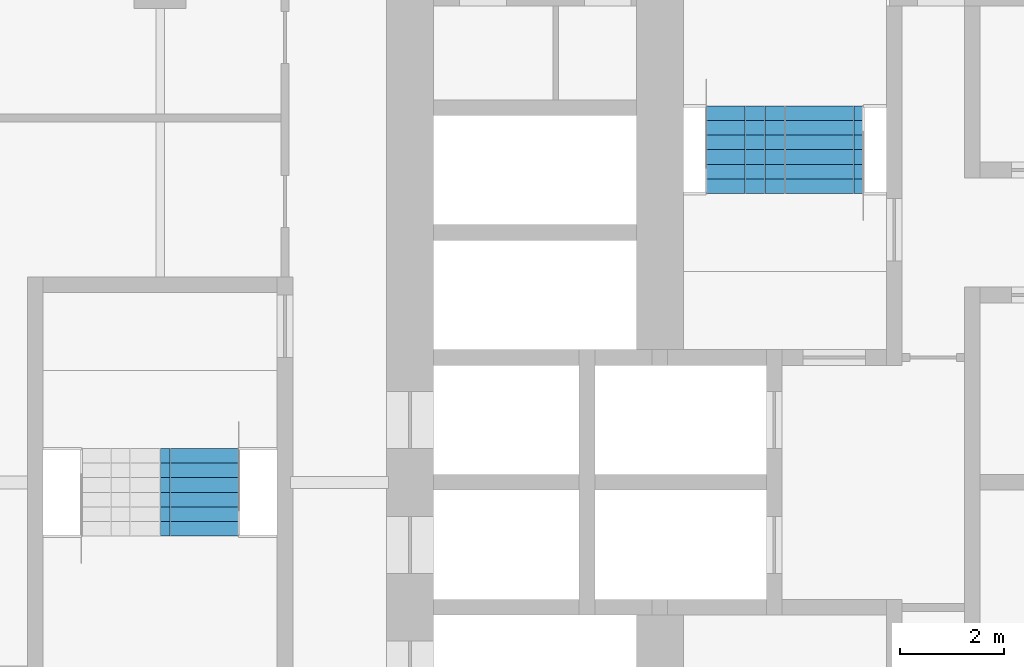
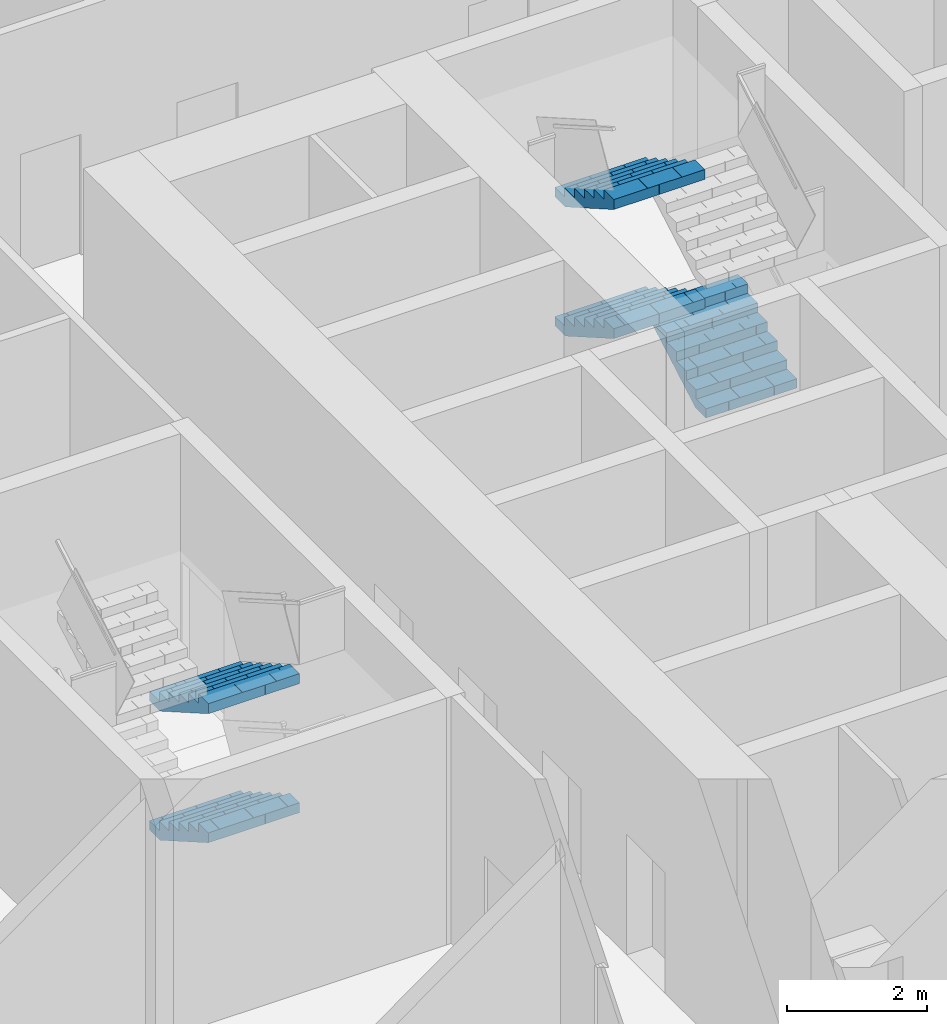
# One storey, part 22 of 26: 5 stair flights, 2 elements without a shape of their own.
"""IFC4 building model written with IfcOpenShell, lengths in metres."""

from ifc_helpers import new_model, si_unit, direction, frame, origin, place, context, subcontext, project, spatial, polyline, outline, extrude, material, type_object, element, aggregate, save


model = new_model("IFC4")

# Units and contexts
model_context = context("Model", 3, precision=1e-05, world=origin(), true_north=direction((0.0, 1.0)))
body_context = subcontext(model_context, "Body", "Model", "MODEL_VIEW")
ifc_project = project(units=[si_unit("LENGTHUNIT", "METRE"), si_unit("AREAUNIT", "SQUARE_METRE"), si_unit("VOLUMEUNIT", "CUBIC_METRE"), si_unit("PLANEANGLEUNIT", "RADIAN"), si_unit("MASSUNIT", "GRAM", prefix="KILO")], contexts=[model_context])

# Site, building, storey
site_placement = place(None, origin())
site = spatial("IfcSite", under=ifc_project, at=site_placement, CompositionType="ELEMENT")
building_placement = place(site_placement, origin())
building = spatial("IfcBuilding", under=site, at=building_placement, Name="Kolab Exchange Tower", CompositionType="ELEMENT")
storey_placement = place(building_placement, frame((0.0, 0.0, 104.89990234375)))
storey = spatial("IfcBuildingStorey", under=building, at=storey_placement, Name="L20", CompositionType="ELEMENT", Elevation=104.89990234375)

# Stair, stair flights
ifc_material = material(Name="Concrete C50/60", Category="concrete")
stair_type_1 = type_object("IfcStairType", Name="STAIR ST1 RISER 160.7", PredefinedType="DOUBLE_RETURN_STAIR", material=ifc_material)
stair_1_placement = place(storey_placement, origin())
stair_1 = element("IfcStair", 1, at=stair_1_placement, inside=storey, type_object=stair_type_1, Name="Stair 1", PredefinedType="DOUBLE_RETURN_STAIR")
stair_flight_type = type_object("IfcStairFlightType", Name="STAIR FLIGHT 1500 RISER 160.7", PredefinedType="STRAIGHT", material=ifc_material)
stair_flight_1_placement = place(storey_placement, frame((-6.43994140625, 5.550048828125, 0.0), z_axis=(0.0, 0.0, 1.0), x_axis=(0.0, 1.0, 0.0)))
stair_flight_1 = element("IfcStairFlight", 2, at=stair_flight_1_placement, type_object=stair_flight_type, Name="ST1 flight 1", NumberOfRisers=7, NumberOfTreads=6, PredefinedType="STRAIGHT", RiserHeight=0.160714286, TreadLength=0.28, context=body_context, shape_type="SweptSolid", body=[
    extrude(outline(polyline([(0.0, 0.0), (0.0, 0.16064453125), (0.280029296875, 0.16064453125), (0.280029296875, 0.321533203125), (0.56005859375, 0.321533203125), (0.56005859375, 0.482177734375), (0.840087890625, 0.482177734375), (0.840087890625, 0.642822265625), (1.1201171875, 0.642822265625), (1.1201171875, 0.803466796875), (1.39990234375, 0.803466796875), (1.39990234375, 0.96435546875), (1.679931640625, 0.96435546875), (1.679931640625, 1.125), (1.679931640625, 0.79150390625), (0.301025390625, 0.0), (0.0, 0.0)])), frame((0.0, 0.75, 0.0), z_axis=(0.0, -1.0, 0.0), x_axis=(1.0, 0.0, 0.0)), (0.0, 0.0, 1.0), 0.185791015625),
    extrude(outline(polyline([(0.0, 0.0), (0.0, 0.16064453125), (0.280029296875, 0.16064453125), (0.280029296875, 0.321533203125), (0.56005859375, 0.321533203125), (0.56005859375, 0.482177734375), (0.840087890625, 0.482177734375), (0.840087890625, 0.642822265625), (1.1201171875, 0.642822265625), (1.1201171875, 0.803466796875), (1.39990234375, 0.803466796875), (1.39990234375, 0.96435546875), (1.679931640625, 0.96435546875), (1.679931640625, 1.125), (1.679931640625, 0.79150390625), (0.301025390625, 0.0), (0.0, 0.0)])), frame((0.0, 0.562255859375, 0.0), z_axis=(0.0, -1.0, 0.0), x_axis=(1.0, 0.0, 0.0)), (0.0, 0.0, 1.0), 0.185791015625),
    extrude(outline(polyline([(0.0, 0.0), (0.0, 0.16064453125), (0.280029296875, 0.16064453125), (0.280029296875, 0.321533203125), (0.56005859375, 0.321533203125), (0.56005859375, 0.482177734375), (0.840087890625, 0.482177734375), (0.840087890625, 0.642822265625), (1.1201171875, 0.642822265625), (1.1201171875, 0.803466796875), (1.39990234375, 0.803466796875), (1.39990234375, 0.96435546875), (1.679931640625, 0.96435546875), (1.679931640625, 1.125), (1.679931640625, 0.79150390625), (0.301025390625, 0.0), (0.0, 0.0)])), frame((0.0, 0.37451171875, 0.0), z_axis=(0.0, -1.0, 0.0), x_axis=(1.0, 0.0, 0.0)), (0.0, 0.0, 1.0), 0.185791015625),
    extrude(outline(polyline([(0.0, 0.0), (0.0, 0.16064453125), (0.280029296875, 0.16064453125), (0.280029296875, 0.321533203125), (0.56005859375, 0.321533203125), (0.56005859375, 0.482177734375), (0.840087890625, 0.482177734375), (0.840087890625, 0.642822265625), (1.1201171875, 0.642822265625), (1.1201171875, 0.803466796875), (1.39990234375, 0.803466796875), (1.39990234375, 0.96435546875), (1.679931640625, 0.96435546875), (1.679931640625, 1.125), (1.679931640625, 0.79150390625), (0.301025390625, 0.0), (0.0, 0.0)])), frame((0.0, 0.186767578125, 0.0), z_axis=(0.0, -1.0, 0.0), x_axis=(1.0, 0.0, 0.0)), (0.0, 0.0, 1.0), 0.185791015625),
    extrude(outline(polyline([(0.0, 0.0), (0.0, 0.16064453125), (0.280029296875, 0.16064453125), (0.280029296875, 0.321533203125), (0.56005859375, 0.321533203125), (0.56005859375, 0.482177734375), (0.840087890625, 0.482177734375), (0.840087890625, 0.642822265625), (1.1201171875, 0.642822265625), (1.1201171875, 0.803466796875), (1.39990234375, 0.803466796875), (1.39990234375, 0.96435546875), (1.679931640625, 0.96435546875), (1.679931640625, 1.125), (1.679931640625, 0.79150390625), (0.301025390625, 0.0), (0.0, 0.0)])), frame((0.0, -0.0009765625, 0.0), z_axis=(0.0, -1.0, 0.0), x_axis=(1.0, 0.0, 0.0)), (0.0, 0.0, 1.0), 0.185791015625),
    extrude(outline(polyline([(0.0, 0.0), (0.0, 0.16064453125), (0.280029296875, 0.16064453125), (0.280029296875, 0.321533203125), (0.56005859375, 0.321533203125), (0.56005859375, 0.482177734375), (0.840087890625, 0.482177734375), (0.840087890625, 0.642822265625), (1.1201171875, 0.642822265625), (1.1201171875, 0.803466796875), (1.39990234375, 0.803466796875), (1.39990234375, 0.96435546875), (1.679931640625, 0.96435546875), (1.679931640625, 1.125), (1.679931640625, 0.79150390625), (0.301025390625, 0.0), (0.0, 0.0)])), frame((0.0, -0.188720703125, 0.0), z_axis=(0.0, -1.0, 0.0), x_axis=(1.0, 0.0, 0.0)), (0.0, 0.0, 1.0), 0.185791015625),
    extrude(outline(polyline([(0.0, 0.0), (0.0, 0.16064453125), (0.280029296875, 0.16064453125), (0.280029296875, 0.321533203125), (0.56005859375, 0.321533203125), (0.56005859375, 0.482177734375), (0.840087890625, 0.482177734375), (0.840087890625, 0.642822265625), (1.1201171875, 0.642822265625), (1.1201171875, 0.803466796875), (1.39990234375, 0.803466796875), (1.39990234375, 0.96435546875), (1.679931640625, 0.96435546875), (1.679931640625, 1.125), (1.679931640625, 0.79150390625), (0.301025390625, 0.0), (0.0, 0.0)])), frame((0.0, -0.37646484375, 0.0), z_axis=(0.0, -1.0, 0.0), x_axis=(1.0, 0.0, 0.0)), (0.0, 0.0, 1.0), 0.185791015625),
    extrude(outline(polyline([(0.0, 0.0), (0.0, 0.16064453125), (0.280029296875, 0.16064453125), (0.280029296875, 0.321533203125), (0.56005859375, 0.321533203125), (0.56005859375, 0.482177734375), (0.840087890625, 0.482177734375), (0.840087890625, 0.642822265625), (1.1201171875, 0.642822265625), (1.1201171875, 0.803466796875), (1.39990234375, 0.803466796875), (1.39990234375, 0.96435546875), (1.679931640625, 0.96435546875), (1.679931640625, 1.125), (1.679931640625, 0.79150390625), (0.301025390625, 0.0), (0.0, 0.0)])), frame((0.0, -0.564208984375, 0.0), z_axis=(0.0, -1.0, 0.0), x_axis=(1.0, 0.0, 0.0)), (0.0, 0.0, 1.0), 0.185791015625),
])
stair_flight_2_placement = place(storey_placement, frame((-7.9599609375, 7.22998046875, 1.125), z_axis=(0.0, 0.0, 1.0), x_axis=(0.0, -1.0, 0.0)))
stair_flight_2 = element("IfcStairFlight", 3, at=stair_flight_2_placement, type_object=stair_flight_type, Name="ST1 flight 2", NumberOfRisers=7, NumberOfTreads=6, PredefinedType="STRAIGHT", RiserHeight=0.160714286, TreadLength=0.28, context=body_context, shape_type="SweptSolid", body=[
    extrude(outline(polyline([(0.0, 0.0), (0.0, 0.16064453125), (0.280029296875, 0.16064453125), (0.280029296875, 0.321533203125), (0.56005859375, 0.321533203125), (0.56005859375, 0.482177734375), (0.840087890625, 0.482177734375), (0.840087890625, 0.642822265625), (1.1201171875, 0.642822265625), (1.1201171875, 0.803466796875), (1.39990234375, 0.803466796875), (1.39990234375, 0.96435546875), (1.679931640625, 0.96435546875), (1.679931640625, 1.125), (1.679931640625, 0.79150390625), (0.301025390625, 0.0), (0.0, 0.0)])), frame((0.0, 0.75, 0.0), z_axis=(0.0, -1.0, 0.0), x_axis=(1.0, 0.0, 0.0)), (0.0, 0.0, 1.0), 0.185791015625),
    extrude(outline(polyline([(0.0, 0.0), (0.0, 0.16064453125), (0.280029296875, 0.16064453125), (0.280029296875, 0.321533203125), (0.56005859375, 0.321533203125), (0.56005859375, 0.482177734375), (0.840087890625, 0.482177734375), (0.840087890625, 0.642822265625), (1.1201171875, 0.642822265625), (1.1201171875, 0.803466796875), (1.39990234375, 0.803466796875), (1.39990234375, 0.96435546875), (1.679931640625, 0.96435546875), (1.679931640625, 1.125), (1.679931640625, 0.79150390625), (0.301025390625, 0.0), (0.0, 0.0)])), frame((0.0, 0.562255859375, 0.0), z_axis=(0.0, -1.0, 0.0), x_axis=(1.0, 0.0, 0.0)), (0.0, 0.0, 1.0), 0.185791015625),
    extrude(outline(polyline([(0.0, 0.0), (0.0, 0.16064453125), (0.280029296875, 0.16064453125), (0.280029296875, 0.321533203125), (0.56005859375, 0.321533203125), (0.56005859375, 0.482177734375), (0.840087890625, 0.482177734375), (0.840087890625, 0.642822265625), (1.1201171875, 0.642822265625), (1.1201171875, 0.803466796875), (1.39990234375, 0.803466796875), (1.39990234375, 0.96435546875), (1.679931640625, 0.96435546875), (1.679931640625, 1.125), (1.679931640625, 0.79150390625), (0.301025390625, 0.0), (0.0, 0.0)])), frame((0.0, 0.37451171875, 0.0), z_axis=(0.0, -1.0, 0.0), x_axis=(1.0, 0.0, 0.0)), (0.0, 0.0, 1.0), 0.185791015625),
    extrude(outline(polyline([(0.0, 0.0), (0.0, 0.16064453125), (0.280029296875, 0.16064453125), (0.280029296875, 0.321533203125), (0.56005859375, 0.321533203125), (0.56005859375, 0.482177734375), (0.840087890625, 0.482177734375), (0.840087890625, 0.642822265625), (1.1201171875, 0.642822265625), (1.1201171875, 0.803466796875), (1.39990234375, 0.803466796875), (1.39990234375, 0.96435546875), (1.679931640625, 0.96435546875), (1.679931640625, 1.125), (1.679931640625, 0.79150390625), (0.301025390625, 0.0), (0.0, 0.0)])), frame((0.0, 0.186767578125, 0.0), z_axis=(0.0, -1.0, 0.0), x_axis=(1.0, 0.0, 0.0)), (0.0, 0.0, 1.0), 0.185791015625),
    extrude(outline(polyline([(0.0, 0.0), (0.0, 0.16064453125), (0.280029296875, 0.16064453125), (0.280029296875, 0.321533203125), (0.56005859375, 0.321533203125), (0.56005859375, 0.482177734375), (0.840087890625, 0.482177734375), (0.840087890625, 0.642822265625), (1.1201171875, 0.642822265625), (1.1201171875, 0.803466796875), (1.39990234375, 0.803466796875), (1.39990234375, 0.96435546875), (1.679931640625, 0.96435546875), (1.679931640625, 1.125), (1.679931640625, 0.79150390625), (0.301025390625, 0.0), (0.0, 0.0)])), frame((0.0, -0.0009765625, 0.0), z_axis=(0.0, -1.0, 0.0), x_axis=(1.0, 0.0, 0.0)), (0.0, 0.0, 1.0), 0.185791015625),
    extrude(outline(polyline([(0.0, 0.0), (0.0, 0.16064453125), (0.280029296875, 0.16064453125), (0.280029296875, 0.321533203125), (0.56005859375, 0.321533203125), (0.56005859375, 0.482177734375), (0.840087890625, 0.482177734375), (0.840087890625, 0.642822265625), (1.1201171875, 0.642822265625), (1.1201171875, 0.803466796875), (1.39990234375, 0.803466796875), (1.39990234375, 0.96435546875), (1.679931640625, 0.96435546875), (1.679931640625, 1.125), (1.679931640625, 0.79150390625), (0.301025390625, 0.0), (0.0, 0.0)])), frame((0.0, -0.188720703125, 0.0), z_axis=(0.0, -1.0, 0.0), x_axis=(1.0, 0.0, 0.0)), (0.0, 0.0, 1.0), 0.185791015625),
    extrude(outline(polyline([(0.0, 0.0), (0.0, 0.16064453125), (0.280029296875, 0.16064453125), (0.280029296875, 0.321533203125), (0.56005859375, 0.321533203125), (0.56005859375, 0.482177734375), (0.840087890625, 0.482177734375), (0.840087890625, 0.642822265625), (1.1201171875, 0.642822265625), (1.1201171875, 0.803466796875), (1.39990234375, 0.803466796875), (1.39990234375, 0.96435546875), (1.679931640625, 0.96435546875), (1.679931640625, 1.125), (1.679931640625, 0.79150390625), (0.301025390625, 0.0), (0.0, 0.0)])), frame((0.0, -0.37646484375, 0.0), z_axis=(0.0, -1.0, 0.0), x_axis=(1.0, 0.0, 0.0)), (0.0, 0.0, 1.0), 0.185791015625),
    extrude(outline(polyline([(0.0, 0.0), (0.0, 0.16064453125), (0.280029296875, 0.16064453125), (0.280029296875, 0.321533203125), (0.56005859375, 0.321533203125), (0.56005859375, 0.482177734375), (0.840087890625, 0.482177734375), (0.840087890625, 0.642822265625), (1.1201171875, 0.642822265625), (1.1201171875, 0.803466796875), (1.39990234375, 0.803466796875), (1.39990234375, 0.96435546875), (1.679931640625, 0.96435546875), (1.679931640625, 1.125), (1.679931640625, 0.79150390625), (0.301025390625, 0.0), (0.0, 0.0)])), frame((0.0, -0.564208984375, 0.0), z_axis=(0.0, -1.0, 0.0), x_axis=(1.0, 0.0, 0.0)), (0.0, 0.0, 1.0), 0.185791015625),
])
stair_flight_3_placement = place(storey_placement, frame((-7.9599609375, 7.22998046875, 3.375), z_axis=(0.0, 0.0, 1.0), x_axis=(0.0, -1.0, 0.0)))
stair_flight_3 = element("IfcStairFlight", 4, at=stair_flight_3_placement, type_object=stair_flight_type, Name="ST1 flight 4", NumberOfRisers=7, NumberOfTreads=6, PredefinedType="STRAIGHT", RiserHeight=0.160714286, TreadLength=0.28, context=body_context, shape_type="SweptSolid", body=[
    extrude(outline(polyline([(0.0, 0.0), (0.0, 0.16064453125), (0.280029296875, 0.16064453125), (0.280029296875, 0.321533203125), (0.56005859375, 0.321533203125), (0.56005859375, 0.482177734375), (0.840087890625, 0.482177734375), (0.840087890625, 0.642822265625), (1.1201171875, 0.642822265625), (1.1201171875, 0.803466796875), (1.39990234375, 0.803466796875), (1.39990234375, 0.96435546875), (1.679931640625, 0.96435546875), (1.679931640625, 1.125), (1.679931640625, 0.79150390625), (0.301025390625, 0.0), (0.0, 0.0)])), frame((0.0, 0.75, 0.0), z_axis=(0.0, -1.0, 0.0), x_axis=(1.0, 0.0, 0.0)), (0.0, 0.0, 1.0), 0.185791015625),
    extrude(outline(polyline([(0.0, 0.0), (0.0, 0.16064453125), (0.280029296875, 0.16064453125), (0.280029296875, 0.321533203125), (0.56005859375, 0.321533203125), (0.56005859375, 0.482177734375), (0.840087890625, 0.482177734375), (0.840087890625, 0.642822265625), (1.1201171875, 0.642822265625), (1.1201171875, 0.803466796875), (1.39990234375, 0.803466796875), (1.39990234375, 0.96435546875), (1.679931640625, 0.96435546875), (1.679931640625, 1.125), (1.679931640625, 0.79150390625), (0.301025390625, 0.0), (0.0, 0.0)])), frame((0.0, 0.562255859375, 0.0), z_axis=(0.0, -1.0, 0.0), x_axis=(1.0, 0.0, 0.0)), (0.0, 0.0, 1.0), 0.185791015625),
    extrude(outline(polyline([(0.0, 0.0), (0.0, 0.16064453125), (0.280029296875, 0.16064453125), (0.280029296875, 0.321533203125), (0.56005859375, 0.321533203125), (0.56005859375, 0.482177734375), (0.840087890625, 0.482177734375), (0.840087890625, 0.642822265625), (1.1201171875, 0.642822265625), (1.1201171875, 0.803466796875), (1.39990234375, 0.803466796875), (1.39990234375, 0.96435546875), (1.679931640625, 0.96435546875), (1.679931640625, 1.125), (1.679931640625, 0.79150390625), (0.301025390625, 0.0), (0.0, 0.0)])), frame((0.0, 0.37451171875, 0.0), z_axis=(0.0, -1.0, 0.0), x_axis=(1.0, 0.0, 0.0)), (0.0, 0.0, 1.0), 0.185791015625),
    extrude(outline(polyline([(0.0, 0.0), (0.0, 0.16064453125), (0.280029296875, 0.16064453125), (0.280029296875, 0.321533203125), (0.56005859375, 0.321533203125), (0.56005859375, 0.482177734375), (0.840087890625, 0.482177734375), (0.840087890625, 0.642822265625), (1.1201171875, 0.642822265625), (1.1201171875, 0.803466796875), (1.39990234375, 0.803466796875), (1.39990234375, 0.96435546875), (1.679931640625, 0.96435546875), (1.679931640625, 1.125), (1.679931640625, 0.79150390625), (0.301025390625, 0.0), (0.0, 0.0)])), frame((0.0, 0.186767578125, 0.0), z_axis=(0.0, -1.0, 0.0), x_axis=(1.0, 0.0, 0.0)), (0.0, 0.0, 1.0), 0.185791015625),
    extrude(outline(polyline([(0.0, 0.0), (0.0, 0.16064453125), (0.280029296875, 0.16064453125), (0.280029296875, 0.321533203125), (0.56005859375, 0.321533203125), (0.56005859375, 0.482177734375), (0.840087890625, 0.482177734375), (0.840087890625, 0.642822265625), (1.1201171875, 0.642822265625), (1.1201171875, 0.803466796875), (1.39990234375, 0.803466796875), (1.39990234375, 0.96435546875), (1.679931640625, 0.96435546875), (1.679931640625, 1.125), (1.679931640625, 0.79150390625), (0.301025390625, 0.0), (0.0, 0.0)])), frame((0.0, -0.0009765625, 0.0), z_axis=(0.0, -1.0, 0.0), x_axis=(1.0, 0.0, 0.0)), (0.0, 0.0, 1.0), 0.185791015625),
    extrude(outline(polyline([(0.0, 0.0), (0.0, 0.16064453125), (0.280029296875, 0.16064453125), (0.280029296875, 0.321533203125), (0.56005859375, 0.321533203125), (0.56005859375, 0.482177734375), (0.840087890625, 0.482177734375), (0.840087890625, 0.642822265625), (1.1201171875, 0.642822265625), (1.1201171875, 0.803466796875), (1.39990234375, 0.803466796875), (1.39990234375, 0.96435546875), (1.679931640625, 0.96435546875), (1.679931640625, 1.125), (1.679931640625, 0.79150390625), (0.301025390625, 0.0), (0.0, 0.0)])), frame((0.0, -0.188720703125, 0.0), z_axis=(0.0, -1.0, 0.0), x_axis=(1.0, 0.0, 0.0)), (0.0, 0.0, 1.0), 0.185791015625),
    extrude(outline(polyline([(0.0, 0.0), (0.0, 0.16064453125), (0.280029296875, 0.16064453125), (0.280029296875, 0.321533203125), (0.56005859375, 0.321533203125), (0.56005859375, 0.482177734375), (0.840087890625, 0.482177734375), (0.840087890625, 0.642822265625), (1.1201171875, 0.642822265625), (1.1201171875, 0.803466796875), (1.39990234375, 0.803466796875), (1.39990234375, 0.96435546875), (1.679931640625, 0.96435546875), (1.679931640625, 1.125), (1.679931640625, 0.79150390625), (0.301025390625, 0.0), (0.0, 0.0)])), frame((0.0, -0.37646484375, 0.0), z_axis=(0.0, -1.0, 0.0), x_axis=(1.0, 0.0, 0.0)), (0.0, 0.0, 1.0), 0.185791015625),
    extrude(outline(polyline([(0.0, 0.0), (0.0, 0.16064453125), (0.280029296875, 0.16064453125), (0.280029296875, 0.321533203125), (0.56005859375, 0.321533203125), (0.56005859375, 0.482177734375), (0.840087890625, 0.482177734375), (0.840087890625, 0.642822265625), (1.1201171875, 0.642822265625), (1.1201171875, 0.803466796875), (1.39990234375, 0.803466796875), (1.39990234375, 0.96435546875), (1.679931640625, 0.96435546875), (1.679931640625, 1.125), (1.679931640625, 0.79150390625), (0.301025390625, 0.0), (0.0, 0.0)])), frame((0.0, -0.564208984375, 0.0), z_axis=(0.0, -1.0, 0.0), x_axis=(1.0, 0.0, 0.0)), (0.0, 0.0, 1.0), 0.185791015625),
])
aggregate(stair_1, [stair_flight_1, stair_flight_2, stair_flight_3])

stair_type_2 = type_object("IfcStairType", Name="STAIR ST5 RISER 160.7", PredefinedType="DOUBLE_RETURN_STAIR", material=ifc_material)
stair_2_placement = place(storey_placement, origin())
stair_2 = element("IfcStair", 5, at=stair_2_placement, inside=storey, type_object=stair_type_2, Name="Stair 5", PredefinedType="DOUBLE_RETURN_STAIR")
stair_flight_4_placement = place(storey_placement, frame((-18.43994140625, 0.64990234375, 0.0), z_axis=(0.0, 0.0, 1.0), x_axis=(0.0, -1.0, 0.0)))
stair_flight_4 = element("IfcStairFlight", 6, at=stair_flight_4_placement, type_object=stair_flight_type, Name="ST5 flight 1", NumberOfRisers=7, NumberOfTreads=6, PredefinedType="STRAIGHT", RiserHeight=0.160714286, TreadLength=0.28, context=body_context, shape_type="SweptSolid", body=[
    extrude(outline(polyline([(0.0, 0.0), (0.0, 0.16064453125), (0.280029296875, 0.16064453125), (0.280029296875, 0.321533203125), (0.56005859375, 0.321533203125), (0.56005859375, 0.482177734375), (0.840087890625, 0.482177734375), (0.840087890625, 0.642822265625), (1.1201171875, 0.642822265625), (1.1201171875, 0.803466796875), (1.39990234375, 0.803466796875), (1.39990234375, 0.96435546875), (1.679931640625, 0.96435546875), (1.679931640625, 1.125), (1.679931640625, 0.79150390625), (0.301025390625, 0.0), (0.0, 0.0)])), frame((0.0, 0.75, 0.0), z_axis=(0.0, -1.0, 0.0), x_axis=(1.0, 0.0, 0.0)), (0.0, 0.0, 1.0), 0.185791015625),
    extrude(outline(polyline([(0.0, 0.0), (0.0, 0.16064453125), (0.280029296875, 0.16064453125), (0.280029296875, 0.321533203125), (0.56005859375, 0.321533203125), (0.56005859375, 0.482177734375), (0.840087890625, 0.482177734375), (0.840087890625, 0.642822265625), (1.1201171875, 0.642822265625), (1.1201171875, 0.803466796875), (1.39990234375, 0.803466796875), (1.39990234375, 0.96435546875), (1.679931640625, 0.96435546875), (1.679931640625, 1.125), (1.679931640625, 0.79150390625), (0.301025390625, 0.0), (0.0, 0.0)])), frame((0.0, 0.562255859375, 0.0), z_axis=(0.0, -1.0, 0.0), x_axis=(1.0, 0.0, 0.0)), (0.0, 0.0, 1.0), 0.185791015625),
    extrude(outline(polyline([(0.0, 0.0), (0.0, 0.16064453125), (0.280029296875, 0.16064453125), (0.280029296875, 0.321533203125), (0.56005859375, 0.321533203125), (0.56005859375, 0.482177734375), (0.840087890625, 0.482177734375), (0.840087890625, 0.642822265625), (1.1201171875, 0.642822265625), (1.1201171875, 0.803466796875), (1.39990234375, 0.803466796875), (1.39990234375, 0.96435546875), (1.679931640625, 0.96435546875), (1.679931640625, 1.125), (1.679931640625, 0.79150390625), (0.301025390625, 0.0), (0.0, 0.0)])), frame((0.0, 0.37451171875, 0.0), z_axis=(0.0, -1.0, 0.0), x_axis=(1.0, 0.0, 0.0)), (0.0, 0.0, 1.0), 0.185791015625),
    extrude(outline(polyline([(0.0, 0.0), (0.0, 0.16064453125), (0.280029296875, 0.16064453125), (0.280029296875, 0.321533203125), (0.56005859375, 0.321533203125), (0.56005859375, 0.482177734375), (0.840087890625, 0.482177734375), (0.840087890625, 0.642822265625), (1.1201171875, 0.642822265625), (1.1201171875, 0.803466796875), (1.39990234375, 0.803466796875), (1.39990234375, 0.96435546875), (1.679931640625, 0.96435546875), (1.679931640625, 1.125), (1.679931640625, 0.79150390625), (0.301025390625, 0.0), (0.0, 0.0)])), frame((0.0, 0.186767578125, 0.0), z_axis=(0.0, -1.0, 0.0), x_axis=(1.0, 0.0, 0.0)), (0.0, 0.0, 1.0), 0.185791015625),
    extrude(outline(polyline([(0.0, 0.0), (0.0, 0.16064453125), (0.280029296875, 0.16064453125), (0.280029296875, 0.321533203125), (0.56005859375, 0.321533203125), (0.56005859375, 0.482177734375), (0.840087890625, 0.482177734375), (0.840087890625, 0.642822265625), (1.1201171875, 0.642822265625), (1.1201171875, 0.803466796875), (1.39990234375, 0.803466796875), (1.39990234375, 0.96435546875), (1.679931640625, 0.96435546875), (1.679931640625, 1.125), (1.679931640625, 0.79150390625), (0.301025390625, 0.0), (0.0, 0.0)])), frame((0.0, -0.0009765625, 0.0), z_axis=(0.0, -1.0, 0.0), x_axis=(1.0, 0.0, 0.0)), (0.0, 0.0, 1.0), 0.185791015625),
    extrude(outline(polyline([(0.0, 0.0), (0.0, 0.16064453125), (0.280029296875, 0.16064453125), (0.280029296875, 0.321533203125), (0.56005859375, 0.321533203125), (0.56005859375, 0.482177734375), (0.840087890625, 0.482177734375), (0.840087890625, 0.642822265625), (1.1201171875, 0.642822265625), (1.1201171875, 0.803466796875), (1.39990234375, 0.803466796875), (1.39990234375, 0.96435546875), (1.679931640625, 0.96435546875), (1.679931640625, 1.125), (1.679931640625, 0.79150390625), (0.301025390625, 0.0), (0.0, 0.0)])), frame((0.0, -0.188720703125, 0.0), z_axis=(0.0, -1.0, 0.0), x_axis=(1.0, 0.0, 0.0)), (0.0, 0.0, 1.0), 0.185791015625),
    extrude(outline(polyline([(0.0, 0.0), (0.0, 0.16064453125), (0.280029296875, 0.16064453125), (0.280029296875, 0.321533203125), (0.56005859375, 0.321533203125), (0.56005859375, 0.482177734375), (0.840087890625, 0.482177734375), (0.840087890625, 0.642822265625), (1.1201171875, 0.642822265625), (1.1201171875, 0.803466796875), (1.39990234375, 0.803466796875), (1.39990234375, 0.96435546875), (1.679931640625, 0.96435546875), (1.679931640625, 1.125), (1.679931640625, 0.79150390625), (0.301025390625, 0.0), (0.0, 0.0)])), frame((0.0, -0.37646484375, 0.0), z_axis=(0.0, -1.0, 0.0), x_axis=(1.0, 0.0, 0.0)), (0.0, 0.0, 1.0), 0.185791015625),
    extrude(outline(polyline([(0.0, 0.0), (0.0, 0.16064453125), (0.280029296875, 0.16064453125), (0.280029296875, 0.321533203125), (0.56005859375, 0.321533203125), (0.56005859375, 0.482177734375), (0.840087890625, 0.482177734375), (0.840087890625, 0.642822265625), (1.1201171875, 0.642822265625), (1.1201171875, 0.803466796875), (1.39990234375, 0.803466796875), (1.39990234375, 0.96435546875), (1.679931640625, 0.96435546875), (1.679931640625, 1.125), (1.679931640625, 0.79150390625), (0.301025390625, 0.0), (0.0, 0.0)])), frame((0.0, -0.564208984375, 0.0), z_axis=(0.0, -1.0, 0.0), x_axis=(1.0, 0.0, 0.0)), (0.0, 0.0, 1.0), 0.185791015625),
])
stair_flight_5_placement = place(storey_placement, frame((-18.43994140625, 0.64990234375, 2.25), z_axis=(0.0, 0.0, 1.0), x_axis=(0.0, -1.0, 0.0)))
stair_flight_5 = element("IfcStairFlight", 7, at=stair_flight_5_placement, type_object=stair_flight_type, Name="ST5 flight 3", NumberOfRisers=7, NumberOfTreads=6, PredefinedType="STRAIGHT", RiserHeight=0.160714286, TreadLength=0.28, context=body_context, shape_type="SweptSolid", body=[
    extrude(outline(polyline([(0.0, 0.0), (0.0, 0.16064453125), (0.280029296875, 0.16064453125), (0.280029296875, 0.321533203125), (0.56005859375, 0.321533203125), (0.56005859375, 0.482177734375), (0.840087890625, 0.482177734375), (0.840087890625, 0.642822265625), (1.1201171875, 0.642822265625), (1.1201171875, 0.803466796875), (1.39990234375, 0.803466796875), (1.39990234375, 0.96435546875), (1.679931640625, 0.96435546875), (1.679931640625, 1.125), (1.679931640625, 0.79150390625), (0.301025390625, 0.0), (0.0, 0.0)])), frame((0.0, 0.75, 0.0), z_axis=(0.0, -1.0, 0.0), x_axis=(1.0, 0.0, 0.0)), (0.0, 0.0, 1.0), 0.185791015625),
    extrude(outline(polyline([(0.0, 0.0), (0.0, 0.16064453125), (0.280029296875, 0.16064453125), (0.280029296875, 0.321533203125), (0.56005859375, 0.321533203125), (0.56005859375, 0.482177734375), (0.840087890625, 0.482177734375), (0.840087890625, 0.642822265625), (1.1201171875, 0.642822265625), (1.1201171875, 0.803466796875), (1.39990234375, 0.803466796875), (1.39990234375, 0.96435546875), (1.679931640625, 0.96435546875), (1.679931640625, 1.125), (1.679931640625, 0.79150390625), (0.301025390625, 0.0), (0.0, 0.0)])), frame((0.0, 0.562255859375, 0.0), z_axis=(0.0, -1.0, 0.0), x_axis=(1.0, 0.0, 0.0)), (0.0, 0.0, 1.0), 0.185791015625),
    extrude(outline(polyline([(0.0, 0.0), (0.0, 0.16064453125), (0.280029296875, 0.16064453125), (0.280029296875, 0.321533203125), (0.56005859375, 0.321533203125), (0.56005859375, 0.482177734375), (0.840087890625, 0.482177734375), (0.840087890625, 0.642822265625), (1.1201171875, 0.642822265625), (1.1201171875, 0.803466796875), (1.39990234375, 0.803466796875), (1.39990234375, 0.96435546875), (1.679931640625, 0.96435546875), (1.679931640625, 1.125), (1.679931640625, 0.79150390625), (0.301025390625, 0.0), (0.0, 0.0)])), frame((0.0, 0.37451171875, 0.0), z_axis=(0.0, -1.0, 0.0), x_axis=(1.0, 0.0, 0.0)), (0.0, 0.0, 1.0), 0.185791015625),
    extrude(outline(polyline([(0.0, 0.0), (0.0, 0.16064453125), (0.280029296875, 0.16064453125), (0.280029296875, 0.321533203125), (0.56005859375, 0.321533203125), (0.56005859375, 0.482177734375), (0.840087890625, 0.482177734375), (0.840087890625, 0.642822265625), (1.1201171875, 0.642822265625), (1.1201171875, 0.803466796875), (1.39990234375, 0.803466796875), (1.39990234375, 0.96435546875), (1.679931640625, 0.96435546875), (1.679931640625, 1.125), (1.679931640625, 0.79150390625), (0.301025390625, 0.0), (0.0, 0.0)])), frame((0.0, 0.186767578125, 0.0), z_axis=(0.0, -1.0, 0.0), x_axis=(1.0, 0.0, 0.0)), (0.0, 0.0, 1.0), 0.185791015625),
    extrude(outline(polyline([(0.0, 0.0), (0.0, 0.16064453125), (0.280029296875, 0.16064453125), (0.280029296875, 0.321533203125), (0.56005859375, 0.321533203125), (0.56005859375, 0.482177734375), (0.840087890625, 0.482177734375), (0.840087890625, 0.642822265625), (1.1201171875, 0.642822265625), (1.1201171875, 0.803466796875), (1.39990234375, 0.803466796875), (1.39990234375, 0.96435546875), (1.679931640625, 0.96435546875), (1.679931640625, 1.125), (1.679931640625, 0.79150390625), (0.301025390625, 0.0), (0.0, 0.0)])), frame((0.0, -0.0009765625, 0.0), z_axis=(0.0, -1.0, 0.0), x_axis=(1.0, 0.0, 0.0)), (0.0, 0.0, 1.0), 0.185791015625),
    extrude(outline(polyline([(0.0, 0.0), (0.0, 0.16064453125), (0.280029296875, 0.16064453125), (0.280029296875, 0.321533203125), (0.56005859375, 0.321533203125), (0.56005859375, 0.482177734375), (0.840087890625, 0.482177734375), (0.840087890625, 0.642822265625), (1.1201171875, 0.642822265625), (1.1201171875, 0.803466796875), (1.39990234375, 0.803466796875), (1.39990234375, 0.96435546875), (1.679931640625, 0.96435546875), (1.679931640625, 1.125), (1.679931640625, 0.79150390625), (0.301025390625, 0.0), (0.0, 0.0)])), frame((0.0, -0.188720703125, 0.0), z_axis=(0.0, -1.0, 0.0), x_axis=(1.0, 0.0, 0.0)), (0.0, 0.0, 1.0), 0.185791015625),
    extrude(outline(polyline([(0.0, 0.0), (0.0, 0.16064453125), (0.280029296875, 0.16064453125), (0.280029296875, 0.321533203125), (0.56005859375, 0.321533203125), (0.56005859375, 0.482177734375), (0.840087890625, 0.482177734375), (0.840087890625, 0.642822265625), (1.1201171875, 0.642822265625), (1.1201171875, 0.803466796875), (1.39990234375, 0.803466796875), (1.39990234375, 0.96435546875), (1.679931640625, 0.96435546875), (1.679931640625, 1.125), (1.679931640625, 0.79150390625), (0.301025390625, 0.0), (0.0, 0.0)])), frame((0.0, -0.37646484375, 0.0), z_axis=(0.0, -1.0, 0.0), x_axis=(1.0, 0.0, 0.0)), (0.0, 0.0, 1.0), 0.185791015625),
    extrude(outline(polyline([(0.0, 0.0), (0.0, 0.16064453125), (0.280029296875, 0.16064453125), (0.280029296875, 0.321533203125), (0.56005859375, 0.321533203125), (0.56005859375, 0.482177734375), (0.840087890625, 0.482177734375), (0.840087890625, 0.642822265625), (1.1201171875, 0.642822265625), (1.1201171875, 0.803466796875), (1.39990234375, 0.803466796875), (1.39990234375, 0.96435546875), (1.679931640625, 0.96435546875), (1.679931640625, 1.125), (1.679931640625, 0.79150390625), (0.301025390625, 0.0), (0.0, 0.0)])), frame((0.0, -0.564208984375, 0.0), z_axis=(0.0, -1.0, 0.0), x_axis=(1.0, 0.0, 0.0)), (0.0, 0.0, 1.0), 0.185791015625),
])
aggregate(stair_2, [stair_flight_4, stair_flight_5])

save(model, "model.ifc")
